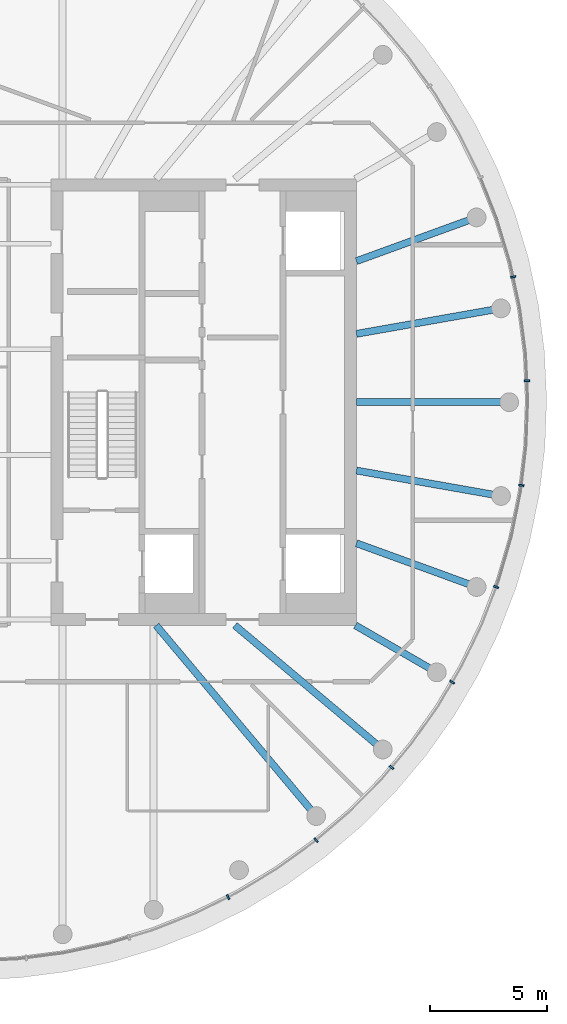
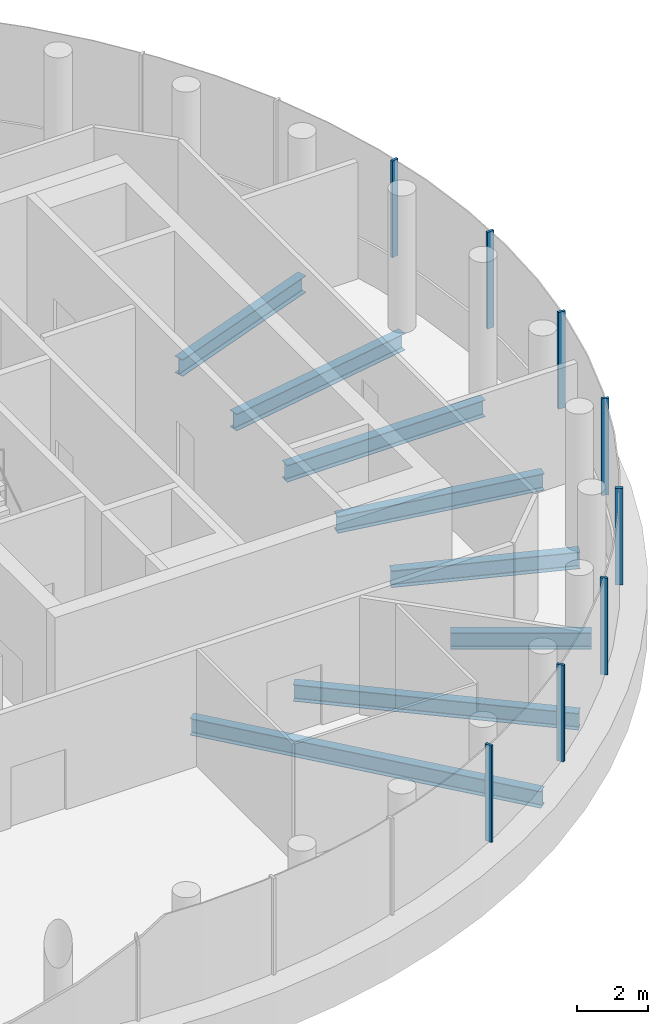
# One storey, part 4 of 12: 8 beams, 8 members, 1 element without a shape of its own.
"""IFC4 building model written with IfcOpenShell, lengths in metres."""

from ifc_helpers import new_model, si_unit, direction, frame, origin, origin_2d, place, context, subcontext, project, spatial, rectangle, i_section, extrude, material, layer, layer_set, material_profile, profile_set, type_object, element, aggregate, save


model = new_model("IFC4")

# Units and contexts
model_context = context("Model", 3, precision=1e-05, world=origin(), true_north=direction((0.0, 1.0)))
body_context = subcontext(model_context, "Body", "Model", "MODEL_VIEW")
ifc_project = project(units=[si_unit("LENGTHUNIT", "METRE"), si_unit("AREAUNIT", "SQUARE_METRE"), si_unit("VOLUMEUNIT", "CUBIC_METRE"), si_unit("PLANEANGLEUNIT", "RADIAN"), si_unit("MASSUNIT", "GRAM", prefix="KILO")], contexts=[model_context])

# Site, building, storey
site_placement = place(None, origin())
site = spatial("IfcSite", under=ifc_project, at=site_placement, CompositionType="ELEMENT")
building_placement = place(site_placement, origin())
building = spatial("IfcBuilding", under=site, at=building_placement, Name="Tamarind Cross Interchange Tower", CompositionType="ELEMENT")
storey_placement = place(building_placement, frame((0.0, 0.0, 294.39990234375)))
storey = spatial("IfcBuildingStorey", under=building, at=storey_placement, Name="L73", CompositionType="ELEMENT", Elevation=294.39990234375)

# Beams
ifc_material_1 = material(Name="Steel Q355B", Category="steel")
ifc_material_profile_1 = material_profile(ifc_material_1, i_section(OverallWidth=0.300048828125, OverallDepth=0.58203125, WebThickness=0.011962890625, FlangeThickness=0.01708984375, FilletRadius=0.01806640625, at=origin_2d()), Name="HM 582x300x12x17")
ifc_profile_set_1 = profile_set([ifc_material_profile_1], Name="Steel Q355B")
beam_type = type_object("IfcBeamType", Name="Composite beam HM 582x300x12x17 Q355B", PredefinedType="BEAM", material=ifc_profile_set_1)
beam_1_placement = place(storey_placement, frame((23.0, 0.0, -0.490966796875), z_axis=(-1.0, 0.0, 0.0), x_axis=(0.0, -1.0, 0.0)))
element("IfcBeam", 1, at=beam_1_placement, inside=storey, type_object=beam_type, Name="Beam HH00", PredefinedType="BEAM", context=body_context, shape_type="SweptSolid", body=[
    extrude(i_section(OverallWidth=0.300048828125, OverallDepth=0.58203125, WebThickness=0.011962890625, FlangeThickness=0.01708984375, FilletRadius=0.01806640625, at=origin_2d()), origin(), (0.0, 0.0, 1.0), 6.5),
])
beam_2_placement = place(storey_placement, frame((22.650634765625, 3.993896484375, -0.490966796875), z_axis=(-0.984809127561, -0.173640382036, 0.0), x_axis=(0.173640382036, -0.984809127561, 0.0)))
element("IfcBeam", 2, at=beam_2_placement, inside=storey, type_object=beam_type, Name="Beam HH01", PredefinedType="BEAM", context=body_context, shape_type="SweptSolid", body=[
    extrude(i_section(OverallWidth=0.300048828125, OverallDepth=0.58203125, WebThickness=0.011962890625, FlangeThickness=0.01708984375, FilletRadius=0.01806640625, at=origin_2d()), origin(), (0.0, 0.0, 1.0), 6.24560546875),
])
beam_3_placement = place(storey_placement, frame((21.613037109375, 7.866455078125, -0.490966796875), z_axis=(-0.939701685589, -0.341995236956, 0.0), x_axis=(0.341995236956, -0.939701685589, 0.0)))
element("IfcBeam", 3, at=beam_3_placement, inside=storey, type_object=beam_type, Name="Beam HH02", PredefinedType="BEAM", context=body_context, shape_type="SweptSolid", body=[
    extrude(i_section(OverallWidth=0.300048828125, OverallDepth=0.58203125, WebThickness=0.011962890625, FlangeThickness=0.01708984375, FilletRadius=0.01806640625, at=origin_2d()), origin(), (0.0, 0.0, 1.0), 5.441162109375),
])
beam_4_placement = place(storey_placement, frame((14.7841796875, -17.619140625, -0.490966796875), z_axis=(-0.642786293979, 0.766045547127, 0.0), x_axis=(-0.766045547127, -0.642786293979, 0.0)))
element("IfcBeam", 4, at=beam_4_placement, inside=storey, type_object=beam_type, Name="Beam HH31", PredefinedType="BEAM", context=body_context, shape_type="SweptSolid", body=[
    extrude(i_section(OverallWidth=0.300048828125, OverallDepth=0.58203125, WebThickness=0.011962890625, FlangeThickness=0.01708984375, FilletRadius=0.01806640625, at=origin_2d()), origin(), (0.0, 0.0, 1.0), 10.598876953125),
])
beam_5_placement = place(storey_placement, frame((17.619140625, -14.7841796875, -0.490966796875), z_axis=(-0.766040580814, 0.642792212574, 0.0), x_axis=(-0.642792212574, -0.766040580814, 0.0)))
element("IfcBeam", 5, at=beam_5_placement, inside=storey, type_object=beam_type, Name="Beam HH32", PredefinedType="BEAM", context=body_context, shape_type="SweptSolid", body=[
    extrude(i_section(OverallWidth=0.300048828125, OverallDepth=0.58203125, WebThickness=0.011962890625, FlangeThickness=0.01708984375, FilletRadius=0.01806640625, at=origin_2d()), origin(), (0.0, 0.0, 1.0), 8.220703125),
])
beam_6_placement = place(storey_placement, frame((19.918701171875, -11.5, -0.490966796875), z_axis=(-0.866026010844, 0.49999894854, 0.0), x_axis=(-0.49999894854, -0.866026010844, 0.0)))
element("IfcBeam", 6, at=beam_6_placement, inside=storey, type_object=beam_type, Name="Beam HH33", PredefinedType="BEAM", context=body_context, shape_type="SweptSolid", body=[
    extrude(i_section(OverallWidth=0.300048828125, OverallDepth=0.58203125, WebThickness=0.011962890625, FlangeThickness=0.01708984375, FilletRadius=0.01806640625, at=origin_2d()), origin(), (0.0, 0.0, 1.0), 4.0),
])
beam_7_placement = place(storey_placement, frame((21.613037109375, -7.866455078125, -0.490966796875), z_axis=(-0.939701685589, 0.341995236956, 0.0), x_axis=(-0.341995236956, -0.939701685589, 0.0)))
element("IfcBeam", 7, at=beam_7_placement, inside=storey, type_object=beam_type, Name="Beam HH34", PredefinedType="BEAM", context=body_context, shape_type="SweptSolid", body=[
    extrude(i_section(OverallWidth=0.300048828125, OverallDepth=0.58203125, WebThickness=0.011962890625, FlangeThickness=0.01708984375, FilletRadius=0.01806640625, at=origin_2d()), origin(), (0.0, 0.0, 1.0), 5.441162109375),
])
beam_8_placement = place(storey_placement, frame((22.650634765625, -3.993896484375, -0.490966796875), z_axis=(-0.984809127561, 0.173640382036, 0.0), x_axis=(-0.173640382036, -0.984809127561, 0.0)))
element("IfcBeam", 8, at=beam_8_placement, inside=storey, type_object=beam_type, Name="Beam HH35", PredefinedType="BEAM", context=body_context, shape_type="SweptSolid", body=[
    extrude(i_section(OverallWidth=0.300048828125, OverallDepth=0.58203125, WebThickness=0.011962890625, FlangeThickness=0.01708984375, FilletRadius=0.01806640625, at=origin_2d()), origin(), (0.0, 0.0, 1.0), 6.24560546875),
])

# Curtain wall, members
ifc_material_2 = material(Name="Aluminium 6063-T6", Category="aluminium")
ifc_layer = layer(ifc_material_2, 0.219970703125)
ifc_layer_set = layer_set([ifc_layer], Name="Aluminium 6063-T6")
curtain_wall_type = type_object("IfcCurtainWallType", Name="Observation deck curtain wall", PredefinedType="NOTDEFINED", material=ifc_layer_set)
curtain_wall_placement = place(storey_placement, origin())
curtain_wall = element("IfcCurtainWall", 9, at=curtain_wall_placement, inside=storey, type_object=curtain_wall_type, Name="CWS-L73-02", PredefinedType="NOTDEFINED")
ifc_material_profile_2 = material_profile(ifc_material_2, rectangle(XDim=0.080078125, YDim=0.219970703125, at=origin_2d()), Name="Mullion CW5")
ifc_profile_set_2 = profile_set([ifc_material_profile_2], Name="Aluminium 6063-T6")
member_type = type_object("IfcMemberType", Name="Mullion CW5", PredefinedType="MULLION", material=ifc_profile_set_2)
member_1_placement = place(storey_placement, frame((11.036376953125, -21.066162109375, 1.400146484375), z_axis=(0.0, 0.0, 1.0), x_axis=(0.896492548518, 0.443058811505, 0.0)))
member_1 = element("IfcMember", 10, at=member_1_placement, type_object=member_type, Name="CWM-L73-02-16", PredefinedType="MULLION", context=body_context, shape_type="SweptSolid", body=[
    extrude(rectangle(XDim=0.080078125, YDim=0.219970703125, at=origin_2d()), origin(), (0.0, 0.0, 1.0), 3.349853515625),
])
member_2_placement = place(storey_placement, frame((14.7802734375, -18.643310546875, 1.400146484375), z_axis=(0.0, 0.0, 1.0), x_axis=(0.760295606781, 0.64957723968, 0.0)))
member_2 = element("IfcMember", 11, at=member_2_placement, type_object=member_type, Name="CWM-L73-02-17", PredefinedType="MULLION", context=body_context, shape_type="SweptSolid", body=[
    extrude(rectangle(XDim=0.080078125, YDim=0.219970703125, at=origin_2d()), origin(), (0.0, 0.0, 1.0), 3.349853515625),
])
member_3_placement = place(storey_placement, frame((17.990478515625, -15.547607421875, 1.400146484375), z_axis=(0.0, 0.0, 1.0), x_axis=(0.643009266048, 0.765858396687, 0.0)))
member_3 = element("IfcMember", 12, at=member_3_placement, type_object=member_type, Name="CWM-L73-02-18", PredefinedType="MULLION", context=body_context, shape_type="SweptSolid", body=[
    extrude(rectangle(XDim=0.080078125, YDim=0.219970703125, at=origin_2d()), origin(), (0.0, 0.0, 1.0), 3.349853515625),
])
member_4_placement = place(storey_placement, frame((20.575439453125, -11.914794921875, 1.400146484375), z_axis=(0.0, 0.0, 1.0), x_axis=(0.508183308752, 0.861248933065, 0.0)))
member_4 = element("IfcMember", 13, at=member_4_placement, type_object=member_type, Name="CWM-L73-02-19", PredefinedType="MULLION", context=body_context, shape_type="SweptSolid", body=[
    extrude(rectangle(XDim=0.080078125, YDim=0.219970703125, at=origin_2d()), origin(), (0.0, 0.0, 1.0), 3.349853515625),
])
member_5_placement = place(storey_placement, frame((22.44775390625, -7.86767578125, 1.400146484375), z_axis=(0.0, 0.0, 1.0), x_axis=(0.359495435512, 0.933146843667, 0.0)))
member_5 = element("IfcMember", 14, at=member_5_placement, type_object=member_type, Name="CWM-L73-02-20", PredefinedType="MULLION", context=body_context, shape_type="SweptSolid", body=[
    extrude(rectangle(XDim=0.080078125, YDim=0.219970703125, at=origin_2d()), origin(), (0.0, 0.0, 1.0), 3.349853515625),
])
member_6_placement = place(storey_placement, frame((23.52099609375, -3.539794921875, 1.400146484375), z_axis=(0.0, 0.0, 1.0), x_axis=(0.119420963295, 0.992843710523, 0.0)))
member_6 = element("IfcMember", 15, at=member_6_placement, type_object=member_type, Name="CWM-L73-02-21", PredefinedType="MULLION", context=body_context, shape_type="SweptSolid", body=[
    extrude(rectangle(XDim=0.080078125, YDim=0.219970703125, at=origin_2d()), origin(), (0.0, 0.0, 1.0), 3.349853515625),
])
member_7_placement = place(storey_placement, frame((23.758544921875, 0.9130859375, 1.400146484375), z_axis=(0.0, 0.0, 1.0), x_axis=(-0.045624486728, 0.998958660912, 0.0)))
member_7 = element("IfcMember", 16, at=member_7_placement, type_object=member_type, Name="CWM-L73-02-22", PredefinedType="MULLION", context=body_context, shape_type="SweptSolid", body=[
    extrude(rectangle(XDim=0.080078125, YDim=0.219970703125, at=origin_2d()), origin(), (0.0, 0.0, 1.0), 3.349853515625),
])
member_8_placement = place(storey_placement, frame((23.17236328125, 5.333251953125, 1.400146484375), z_axis=(0.0, 0.0, 1.0), x_axis=(-0.209425419705, 0.977824623121, 0.0)))
member_8 = element("IfcMember", 17, at=member_8_placement, type_object=member_type, Name="CWM-L73-02-23", PredefinedType="MULLION", context=body_context, shape_type="SweptSolid", body=[
    extrude(rectangle(XDim=0.080078125, YDim=0.219970703125, at=origin_2d()), origin(), (0.0, 0.0, 1.0), 3.349853515625),
])
aggregate(curtain_wall, [member_1, member_2, member_3, member_4, member_5, member_6, member_7, member_8])

save(model, "model.ifc")
